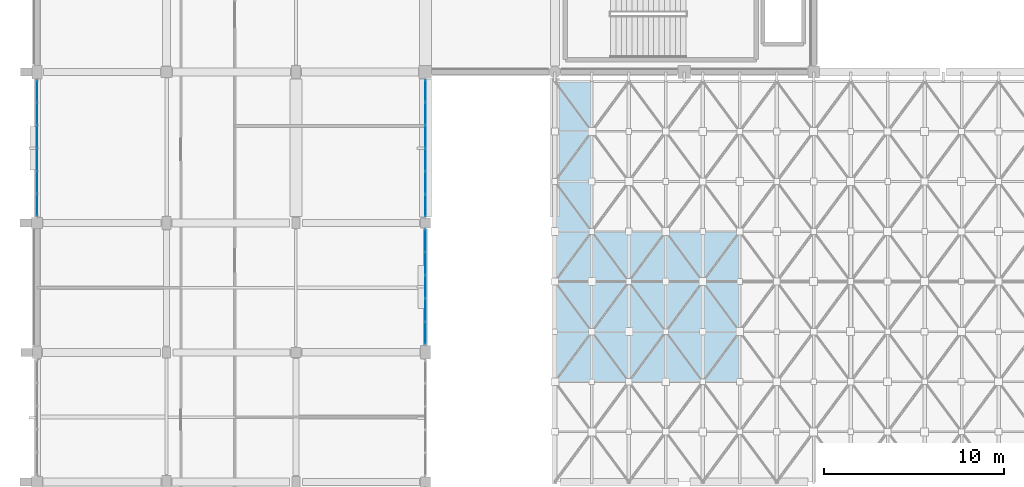
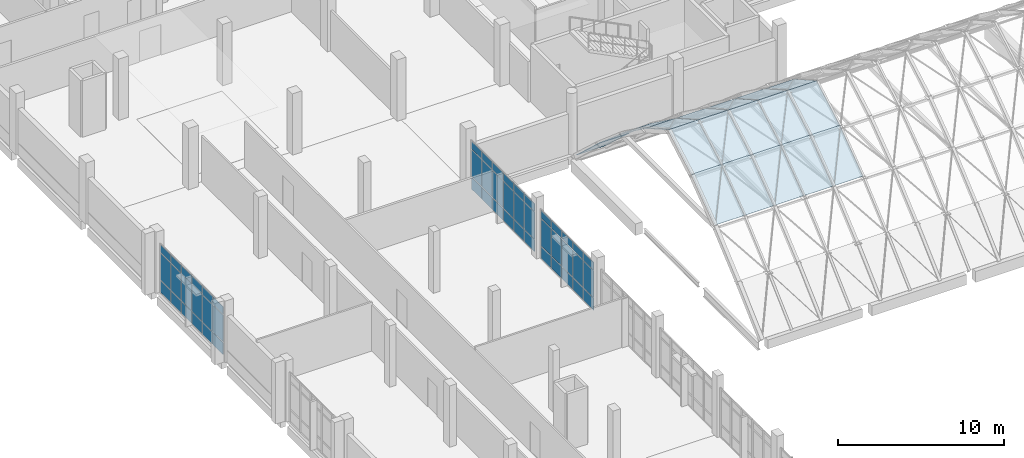
# One storey, part 63 of 87: 69 plates, 3 elements without a shape of their own.
"""IFC4 building model written with IfcOpenShell, lengths in metres."""

from ifc_helpers import new_model, si_unit, direction, frame, origin, origin_2d, place, context, subcontext, project, spatial, polyline, rectangle, outline, extrude, material, layer, layer_set, type_object, element, aggregate, save


model = new_model("IFC4")

# Units and contexts
model_context = context("Model", 3, precision=1e-05, world=origin(), true_north=direction((0.0, 1.0)))
body_context = subcontext(model_context, "Body", "Model", "MODEL_VIEW")
ifc_project = project(units=[si_unit("LENGTHUNIT", "METRE"), si_unit("AREAUNIT", "SQUARE_METRE"), si_unit("VOLUMEUNIT", "CUBIC_METRE"), si_unit("PLANEANGLEUNIT", "RADIAN"), si_unit("MASSUNIT", "GRAM", prefix="KILO")], contexts=[model_context])

# Site, building, storey
site_placement = place(None, origin())
site = spatial("IfcSite", under=ifc_project, at=site_placement, CompositionType="ELEMENT")
building_placement = place(site_placement, origin())
building = spatial("IfcBuilding", under=site, at=building_placement, Name="Kalluvel Institute of Natural Sciences", CompositionType="ELEMENT")
storey_placement = place(building_placement, frame((0.0, 0.0, 18.89990234375)))
storey = spatial("IfcBuildingStorey", under=building, at=storey_placement, Name="L04", CompositionType="ELEMENT", Elevation=18.89990234375)

# Curtain wall, plates
ifc_material_1 = material(Name="Aluminium AW-6063 T6", Category="aluminium")
curtain_wall_type = type_object("IfcCurtainWallType", Name="CW-DRY-45", PredefinedType="USERDEFINED", material=ifc_material_1)
curtain_wall_1_placement = place(storey_placement, origin())
curtain_wall_1 = element("IfcCurtainWall", 1, at=curtain_wall_1_placement, inside=storey, type_object=curtain_wall_type, Name="L04 Gothic lancet curtain wall CWA-L04-X140-Y864", ObjectType="UNITISED LANCET FACADE", PredefinedType="USERDEFINED")
ifc_material_2 = material(Name="Solar-Control Low-E Laminated Glass", Category="glass")
ifc_layer_1 = layer(ifc_material_2, 0.028076171875)
ifc_layer_set_1 = layer_set([ifc_layer_1], Name="Solar-Control Low-E Laminated Glass")
plate_type_1 = type_object("IfcPlateType", Name="CWP-DGU-28", PredefinedType="CURTAIN_PANEL", material=ifc_layer_set_1)
plate_1_placement = place(storey_placement, frame((14.0, 87.00048828125, 0.06005859375), z_axis=(0.0, 0.0, 1.0), x_axis=(0.0, 1.0, 0.0)))
plate_1 = element("IfcPlate", 2, at=plate_1_placement, type_object=plate_type_1, Name="CW-03 panel 1.1", PredefinedType="CURTAIN_PANEL", context=body_context, shape_type="SweptSolid", body=[
    extrude(rectangle(XDim=1.180908203125, YDim=0.028076171875, at=origin_2d()), origin(), (0.0, 0.0, 1.0), 0.860107421875),
])
plate_2_placement = place(storey_placement, frame((14.0, 87.00048828125, 0.980224609375), z_axis=(0.0, 0.0, 1.0), x_axis=(0.0, 1.0, 0.0)))
plate_2 = element("IfcPlate", 3, at=plate_2_placement, type_object=plate_type_1, Name="CW-03 panel 1.2", PredefinedType="CURTAIN_PANEL", context=body_context, shape_type="SweptSolid", body=[
    extrude(rectangle(XDim=1.180908203125, YDim=0.028076171875, at=origin_2d()), origin(), (0.0, 0.0, 1.0), 1.9599609375),
])
plate_3_placement = place(storey_placement, frame((14.0, 87.00048828125, 3.0), z_axis=(0.0, 0.0, 1.0), x_axis=(0.0, 1.0, 0.0)))
plate_3 = element("IfcPlate", 4, at=plate_3_placement, type_object=plate_type_1, Name="CW-03 panel 1.3", PredefinedType="CURTAIN_PANEL", context=body_context, shape_type="SweptSolid", body=[
    extrude(rectangle(XDim=1.180908203125, YDim=0.028076171875, at=origin_2d()), origin(), (0.0, 0.0, 1.0), 0.56005859375),
])
plate_4_placement = place(storey_placement, frame((14.0, 88.25634765625, 0.06005859375), z_axis=(0.0, 0.0, 1.0), x_axis=(0.0, 1.0, 0.0)))
plate_4 = element("IfcPlate", 5, at=plate_4_placement, type_object=plate_type_1, Name="CW-03 panel 2.1", PredefinedType="CURTAIN_PANEL", context=body_context, shape_type="SweptSolid", body=[
    extrude(rectangle(XDim=1.2109375, YDim=0.028076171875, at=origin_2d()), origin(), (0.0, 0.0, 1.0), 0.860107421875),
])
plate_5_placement = place(storey_placement, frame((14.0, 88.25634765625, 0.980224609375), z_axis=(0.0, 0.0, 1.0), x_axis=(0.0, 1.0, 0.0)))
plate_5 = element("IfcPlate", 6, at=plate_5_placement, type_object=plate_type_1, Name="CW-03 panel 2.2", PredefinedType="CURTAIN_PANEL", context=body_context, shape_type="SweptSolid", body=[
    extrude(rectangle(XDim=1.2109375, YDim=0.028076171875, at=origin_2d()), origin(), (0.0, 0.0, 1.0), 1.9599609375),
])
plate_6_placement = place(storey_placement, frame((14.0, 88.25634765625, 3.0), z_axis=(0.0, 0.0, 1.0), x_axis=(0.0, 1.0, 0.0)))
plate_6 = element("IfcPlate", 7, at=plate_6_placement, type_object=plate_type_1, Name="CW-03 panel 2.3", PredefinedType="CURTAIN_PANEL", context=body_context, shape_type="SweptSolid", body=[
    extrude(rectangle(XDim=1.2109375, YDim=0.028076171875, at=origin_2d()), origin(), (0.0, 0.0, 1.0), 0.56005859375),
])
plate_7_placement = place(storey_placement, frame((14.0, 89.527099609375, 0.06005859375), z_axis=(0.0, 0.0, 1.0), x_axis=(0.0, 1.0, 0.0)))
plate_7 = element("IfcPlate", 8, at=plate_7_placement, type_object=plate_type_1, Name="CW-03 panel 3.1", PredefinedType="CURTAIN_PANEL", context=body_context, shape_type="SweptSolid", body=[
    extrude(rectangle(XDim=1.2109375, YDim=0.028076171875, at=origin_2d()), origin(), (0.0, 0.0, 1.0), 0.860107421875),
])
plate_8_placement = place(storey_placement, frame((14.0, 89.527099609375, 0.980224609375), z_axis=(0.0, 0.0, 1.0), x_axis=(0.0, 1.0, 0.0)))
plate_8 = element("IfcPlate", 9, at=plate_8_placement, type_object=plate_type_1, Name="CW-03 panel 3.2", PredefinedType="CURTAIN_PANEL", context=body_context, shape_type="SweptSolid", body=[
    extrude(rectangle(XDim=1.2109375, YDim=0.028076171875, at=origin_2d()), origin(), (0.0, 0.0, 1.0), 1.9599609375),
])
plate_9_placement = place(storey_placement, frame((14.0, 89.527099609375, 3.0), z_axis=(0.0, 0.0, 1.0), x_axis=(0.0, 1.0, 0.0)))
plate_9 = element("IfcPlate", 10, at=plate_9_placement, type_object=plate_type_1, Name="CW-03 panel 3.3", PredefinedType="CURTAIN_PANEL", context=body_context, shape_type="SweptSolid", body=[
    extrude(rectangle(XDim=1.2109375, YDim=0.028076171875, at=origin_2d()), origin(), (0.0, 0.0, 1.0), 0.56005859375),
])
plate_10_placement = place(storey_placement, frame((14.0, 90.7978515625, 0.06005859375), z_axis=(0.0, 0.0, 1.0), x_axis=(0.0, 1.0, 0.0)))
plate_10 = element("IfcPlate", 11, at=plate_10_placement, type_object=plate_type_1, Name="CW-03 panel 4.1", PredefinedType="CURTAIN_PANEL", context=body_context, shape_type="SweptSolid", body=[
    extrude(rectangle(XDim=1.2109375, YDim=0.028076171875, at=origin_2d()), origin(), (0.0, 0.0, 1.0), 0.860107421875),
])
plate_11_placement = place(storey_placement, frame((14.0, 90.7978515625, 0.980224609375), z_axis=(0.0, 0.0, 1.0), x_axis=(0.0, 1.0, 0.0)))
plate_11 = element("IfcPlate", 12, at=plate_11_placement, type_object=plate_type_1, Name="CW-03 panel 4.2", PredefinedType="CURTAIN_PANEL", context=body_context, shape_type="SweptSolid", body=[
    extrude(rectangle(XDim=1.2109375, YDim=0.028076171875, at=origin_2d()), origin(), (0.0, 0.0, 1.0), 1.9599609375),
])
plate_12_placement = place(storey_placement, frame((14.0, 90.7978515625, 3.0), z_axis=(0.0, 0.0, 1.0), x_axis=(0.0, 1.0, 0.0)))
plate_12 = element("IfcPlate", 13, at=plate_12_placement, type_object=plate_type_1, Name="CW-03 panel 4.3", PredefinedType="CURTAIN_PANEL", context=body_context, shape_type="SweptSolid", body=[
    extrude(rectangle(XDim=1.2109375, YDim=0.028076171875, at=origin_2d()), origin(), (0.0, 0.0, 1.0), 0.56005859375),
])
plate_13_placement = place(storey_placement, frame((14.0, 92.06884765625, 0.06005859375), z_axis=(0.0, 0.0, 1.0), x_axis=(0.0, 1.0, 0.0)))
plate_13 = element("IfcPlate", 14, at=plate_13_placement, type_object=plate_type_1, Name="CW-03 panel 5.1", PredefinedType="CURTAIN_PANEL", context=body_context, shape_type="SweptSolid", body=[
    extrude(rectangle(XDim=1.2109375, YDim=0.028076171875, at=origin_2d()), origin(), (0.0, 0.0, 1.0), 0.860107421875),
])
plate_14_placement = place(storey_placement, frame((14.0, 92.06884765625, 0.980224609375), z_axis=(0.0, 0.0, 1.0), x_axis=(0.0, 1.0, 0.0)))
plate_14 = element("IfcPlate", 15, at=plate_14_placement, type_object=plate_type_1, Name="CW-03 panel 5.2", PredefinedType="CURTAIN_PANEL", context=body_context, shape_type="SweptSolid", body=[
    extrude(rectangle(XDim=1.2109375, YDim=0.028076171875, at=origin_2d()), origin(), (0.0, 0.0, 1.0), 1.9599609375),
])
plate_15_placement = place(storey_placement, frame((14.0, 92.06884765625, 3.0), z_axis=(0.0, 0.0, 1.0), x_axis=(0.0, 1.0, 0.0)))
plate_15 = element("IfcPlate", 16, at=plate_15_placement, type_object=plate_type_1, Name="CW-03 panel 5.3", PredefinedType="CURTAIN_PANEL", context=body_context, shape_type="SweptSolid", body=[
    extrude(rectangle(XDim=1.2109375, YDim=0.028076171875, at=origin_2d()), origin(), (0.0, 0.0, 1.0), 0.56005859375),
])
plate_16_placement = place(storey_placement, frame((14.0, 93.324462890625, 0.06005859375), z_axis=(0.0, 0.0, 1.0), x_axis=(0.0, 1.0, 0.0)))
plate_16 = element("IfcPlate", 17, at=plate_16_placement, type_object=plate_type_1, Name="CW-03 panel 6.1", PredefinedType="CURTAIN_PANEL", context=body_context, shape_type="SweptSolid", body=[
    extrude(rectangle(XDim=1.180908203125, YDim=0.028076171875, at=origin_2d()), origin(), (0.0, 0.0, 1.0), 0.860107421875),
])
plate_17_placement = place(storey_placement, frame((14.0, 93.324462890625, 0.980224609375), z_axis=(0.0, 0.0, 1.0), x_axis=(0.0, 1.0, 0.0)))
plate_17 = element("IfcPlate", 18, at=plate_17_placement, type_object=plate_type_1, Name="CW-03 panel 6.2", PredefinedType="CURTAIN_PANEL", context=body_context, shape_type="SweptSolid", body=[
    extrude(rectangle(XDim=1.180908203125, YDim=0.028076171875, at=origin_2d()), origin(), (0.0, 0.0, 1.0), 1.9599609375),
])
plate_18_placement = place(storey_placement, frame((14.0, 93.324462890625, 3.0), z_axis=(0.0, 0.0, 1.0), x_axis=(0.0, 1.0, 0.0)))
plate_18 = element("IfcPlate", 19, at=plate_18_placement, type_object=plate_type_1, Name="CW-03 panel 6.3", PredefinedType="CURTAIN_PANEL", context=body_context, shape_type="SweptSolid", body=[
    extrude(rectangle(XDim=1.180908203125, YDim=0.028076171875, at=origin_2d()), origin(), (0.0, 0.0, 1.0), 0.56005859375),
])
aggregate(curtain_wall_1, [plate_1, plate_2, plate_3, plate_4, plate_5, plate_6, plate_7, plate_8, plate_9, plate_10, plate_11, plate_12, plate_13, plate_14, plate_15, plate_16, plate_17, plate_18])

curtain_wall_2_placement = place(storey_placement, origin())
curtain_wall_2 = element("IfcCurtainWall", 20, at=curtain_wall_2_placement, inside=storey, type_object=curtain_wall_type, Name="L04 Gothic lancet curtain wall CWA-L04-X356-Y792", ObjectType="UNITISED LANCET FACADE", PredefinedType="USERDEFINED")
plate_19_placement = place(storey_placement, frame((35.60009765625, 79.885009765625, 0.06005859375), z_axis=(0.0, 0.0, 1.0), x_axis=(0.0, 1.0, 0.0)))
plate_19 = element("IfcPlate", 21, at=plate_19_placement, type_object=plate_type_1, Name="CW-03 panel 1.1", PredefinedType="CURTAIN_PANEL", context=body_context, shape_type="SweptSolid", body=[
    extrude(rectangle(XDim=1.199951171875, YDim=0.028076171875, at=origin_2d()), origin(), (0.0, 0.0, 1.0), 0.860107421875),
])
plate_20_placement = place(storey_placement, frame((35.60009765625, 79.885009765625, 0.980224609375), z_axis=(0.0, 0.0, 1.0), x_axis=(0.0, 1.0, 0.0)))
plate_20 = element("IfcPlate", 22, at=plate_20_placement, type_object=plate_type_1, Name="CW-03 panel 1.2", PredefinedType="CURTAIN_PANEL", context=body_context, shape_type="SweptSolid", body=[
    extrude(rectangle(XDim=1.199951171875, YDim=0.028076171875, at=origin_2d()), origin(), (0.0, 0.0, 1.0), 1.9599609375),
])
plate_21_placement = place(storey_placement, frame((35.60009765625, 79.885009765625, 3.0), z_axis=(0.0, 0.0, 1.0), x_axis=(0.0, 1.0, 0.0)))
plate_21 = element("IfcPlate", 23, at=plate_21_placement, type_object=plate_type_1, Name="CW-03 panel 1.3", PredefinedType="CURTAIN_PANEL", context=body_context, shape_type="SweptSolid", body=[
    extrude(rectangle(XDim=1.199951171875, YDim=0.028076171875, at=origin_2d()), origin(), (0.0, 0.0, 1.0), 0.56005859375),
])
plate_22_placement = place(storey_placement, frame((35.60009765625, 81.159912109375, 0.06005859375), z_axis=(0.0, 0.0, 1.0), x_axis=(0.0, 1.0, 0.0)))
plate_22 = element("IfcPlate", 24, at=plate_22_placement, type_object=plate_type_1, Name="CW-03 panel 2.1", PredefinedType="CURTAIN_PANEL", context=body_context, shape_type="SweptSolid", body=[
    extrude(rectangle(XDim=1.22998046875, YDim=0.028076171875, at=origin_2d()), origin(), (0.0, 0.0, 1.0), 0.860107421875),
])
plate_23_placement = place(storey_placement, frame((35.60009765625, 81.159912109375, 0.980224609375), z_axis=(0.0, 0.0, 1.0), x_axis=(0.0, 1.0, 0.0)))
plate_23 = element("IfcPlate", 25, at=plate_23_placement, type_object=plate_type_1, Name="CW-03 panel 2.2", PredefinedType="CURTAIN_PANEL", context=body_context, shape_type="SweptSolid", body=[
    extrude(rectangle(XDim=1.22998046875, YDim=0.028076171875, at=origin_2d()), origin(), (0.0, 0.0, 1.0), 1.9599609375),
])
plate_24_placement = place(storey_placement, frame((35.60009765625, 81.159912109375, 3.0), z_axis=(0.0, 0.0, 1.0), x_axis=(0.0, 1.0, 0.0)))
plate_24 = element("IfcPlate", 26, at=plate_24_placement, type_object=plate_type_1, Name="CW-03 panel 2.3", PredefinedType="CURTAIN_PANEL", context=body_context, shape_type="SweptSolid", body=[
    extrude(rectangle(XDim=1.22998046875, YDim=0.028076171875, at=origin_2d()), origin(), (0.0, 0.0, 1.0), 0.56005859375),
])
plate_25_placement = place(storey_placement, frame((35.60009765625, 82.449951171875, 0.06005859375), z_axis=(0.0, 0.0, 1.0), x_axis=(0.0, 1.0, 0.0)))
plate_25 = element("IfcPlate", 27, at=plate_25_placement, type_object=plate_type_1, Name="CW-03 panel 3.1", PredefinedType="CURTAIN_PANEL", context=body_context, shape_type="SweptSolid", body=[
    extrude(rectangle(XDim=1.22998046875, YDim=0.028076171875, at=origin_2d()), origin(), (0.0, 0.0, 1.0), 0.860107421875),
])
plate_26_placement = place(storey_placement, frame((35.60009765625, 82.449951171875, 0.980224609375), z_axis=(0.0, 0.0, 1.0), x_axis=(0.0, 1.0, 0.0)))
plate_26 = element("IfcPlate", 28, at=plate_26_placement, type_object=plate_type_1, Name="CW-03 panel 3.2", PredefinedType="CURTAIN_PANEL", context=body_context, shape_type="SweptSolid", body=[
    extrude(rectangle(XDim=1.22998046875, YDim=0.028076171875, at=origin_2d()), origin(), (0.0, 0.0, 1.0), 1.9599609375),
])
plate_27_placement = place(storey_placement, frame((35.60009765625, 82.449951171875, 3.0), z_axis=(0.0, 0.0, 1.0), x_axis=(0.0, 1.0, 0.0)))
plate_27 = element("IfcPlate", 29, at=plate_27_placement, type_object=plate_type_1, Name="CW-03 panel 3.3", PredefinedType="CURTAIN_PANEL", context=body_context, shape_type="SweptSolid", body=[
    extrude(rectangle(XDim=1.22998046875, YDim=0.028076171875, at=origin_2d()), origin(), (0.0, 0.0, 1.0), 0.56005859375),
])
plate_28_placement = place(storey_placement, frame((35.60009765625, 83.739990234375, 0.06005859375), z_axis=(0.0, 0.0, 1.0), x_axis=(0.0, 1.0, 0.0)))
plate_28 = element("IfcPlate", 30, at=plate_28_placement, type_object=plate_type_1, Name="CW-03 panel 4.1", PredefinedType="CURTAIN_PANEL", context=body_context, shape_type="SweptSolid", body=[
    extrude(rectangle(XDim=1.22998046875, YDim=0.028076171875, at=origin_2d()), origin(), (0.0, 0.0, 1.0), 0.860107421875),
])
plate_29_placement = place(storey_placement, frame((35.60009765625, 83.739990234375, 0.980224609375), z_axis=(0.0, 0.0, 1.0), x_axis=(0.0, 1.0, 0.0)))
plate_29 = element("IfcPlate", 31, at=plate_29_placement, type_object=plate_type_1, Name="CW-03 panel 4.2", PredefinedType="CURTAIN_PANEL", context=body_context, shape_type="SweptSolid", body=[
    extrude(rectangle(XDim=1.22998046875, YDim=0.028076171875, at=origin_2d()), origin(), (0.0, 0.0, 1.0), 1.9599609375),
])
plate_30_placement = place(storey_placement, frame((35.60009765625, 83.739990234375, 3.0), z_axis=(0.0, 0.0, 1.0), x_axis=(0.0, 1.0, 0.0)))
plate_30 = element("IfcPlate", 32, at=plate_30_placement, type_object=plate_type_1, Name="CW-03 panel 4.3", PredefinedType="CURTAIN_PANEL", context=body_context, shape_type="SweptSolid", body=[
    extrude(rectangle(XDim=1.22998046875, YDim=0.028076171875, at=origin_2d()), origin(), (0.0, 0.0, 1.0), 0.56005859375),
])
plate_31_placement = place(storey_placement, frame((35.60009765625, 85.014892578125, 0.06005859375), z_axis=(0.0, 0.0, 1.0), x_axis=(0.0, 1.0, 0.0)))
plate_31 = element("IfcPlate", 33, at=plate_31_placement, type_object=plate_type_1, Name="CW-03 panel 5.1", PredefinedType="CURTAIN_PANEL", context=body_context, shape_type="SweptSolid", body=[
    extrude(rectangle(XDim=1.199951171875, YDim=0.028076171875, at=origin_2d()), origin(), (0.0, 0.0, 1.0), 0.860107421875),
])
plate_32_placement = place(storey_placement, frame((35.60009765625, 85.014892578125, 0.980224609375), z_axis=(0.0, 0.0, 1.0), x_axis=(0.0, 1.0, 0.0)))
plate_32 = element("IfcPlate", 34, at=plate_32_placement, type_object=plate_type_1, Name="CW-03 panel 5.2", PredefinedType="CURTAIN_PANEL", context=body_context, shape_type="SweptSolid", body=[
    extrude(rectangle(XDim=1.199951171875, YDim=0.028076171875, at=origin_2d()), origin(), (0.0, 0.0, 1.0), 1.9599609375),
])
plate_33_placement = place(storey_placement, frame((35.60009765625, 85.014892578125, 3.0), z_axis=(0.0, 0.0, 1.0), x_axis=(0.0, 1.0, 0.0)))
plate_33 = element("IfcPlate", 35, at=plate_33_placement, type_object=plate_type_1, Name="CW-03 panel 5.3", PredefinedType="CURTAIN_PANEL", context=body_context, shape_type="SweptSolid", body=[
    extrude(rectangle(XDim=1.199951171875, YDim=0.028076171875, at=origin_2d()), origin(), (0.0, 0.0, 1.0), 0.56005859375),
])
aggregate(curtain_wall_2, [plate_19, plate_20, plate_21, plate_22, plate_23, plate_24, plate_25, plate_26, plate_27, plate_28, plate_29, plate_30, plate_31, plate_32, plate_33])

curtain_wall_3_placement = place(storey_placement, origin())
curtain_wall_3 = element("IfcCurtainWall", 36, at=curtain_wall_3_placement, inside=storey, type_object=curtain_wall_type, Name="L04 Gothic lancet curtain wall CWA-L04-X356-Y863", ObjectType="UNITISED LANCET FACADE", PredefinedType="USERDEFINED")
plate_34_placement = place(storey_placement, frame((35.60009765625, 86.9794921875, 0.06005859375), z_axis=(0.0, 0.0, 1.0), x_axis=(0.0, 1.0, 0.0)))
plate_34 = element("IfcPlate", 37, at=plate_34_placement, type_object=plate_type_1, Name="CW-03 panel 1.1", PredefinedType="CURTAIN_PANEL", context=body_context, shape_type="SweptSolid", body=[
    extrude(rectangle(XDim=1.189208984375, YDim=0.028076171875, at=origin_2d()), origin(), (0.0, 0.0, 1.0), 0.860107421875),
])
plate_35_placement = place(storey_placement, frame((35.60009765625, 86.9794921875, 0.980224609375), z_axis=(0.0, 0.0, 1.0), x_axis=(0.0, 1.0, 0.0)))
plate_35 = element("IfcPlate", 38, at=plate_35_placement, type_object=plate_type_1, Name="CW-03 panel 1.2", PredefinedType="CURTAIN_PANEL", context=body_context, shape_type="SweptSolid", body=[
    extrude(rectangle(XDim=1.189208984375, YDim=0.028076171875, at=origin_2d()), origin(), (0.0, 0.0, 1.0), 1.9599609375),
])
plate_36_placement = place(storey_placement, frame((35.60009765625, 86.9794921875, 3.0), z_axis=(0.0, 0.0, 1.0), x_axis=(0.0, 1.0, 0.0)))
plate_36 = element("IfcPlate", 39, at=plate_36_placement, type_object=plate_type_1, Name="CW-03 panel 1.3", PredefinedType="CURTAIN_PANEL", context=body_context, shape_type="SweptSolid", body=[
    extrude(rectangle(XDim=1.189208984375, YDim=0.028076171875, at=origin_2d()), origin(), (0.0, 0.0, 1.0), 0.56005859375),
])
plate_37_placement = place(storey_placement, frame((35.60009765625, 88.24365234375, 0.06005859375), z_axis=(0.0, 0.0, 1.0), x_axis=(0.0, 1.0, 0.0)))
plate_37 = element("IfcPlate", 40, at=plate_37_placement, type_object=plate_type_1, Name="CW-03 panel 2.1", PredefinedType="CURTAIN_PANEL", context=body_context, shape_type="SweptSolid", body=[
    extrude(rectangle(XDim=1.21923828125, YDim=0.028076171875, at=origin_2d()), origin(), (0.0, 0.0, 1.0), 0.860107421875),
])
plate_38_placement = place(storey_placement, frame((35.60009765625, 88.24365234375, 0.980224609375), z_axis=(0.0, 0.0, 1.0), x_axis=(0.0, 1.0, 0.0)))
plate_38 = element("IfcPlate", 41, at=plate_38_placement, type_object=plate_type_1, Name="CW-03 panel 2.2", PredefinedType="CURTAIN_PANEL", context=body_context, shape_type="SweptSolid", body=[
    extrude(rectangle(XDim=1.21923828125, YDim=0.028076171875, at=origin_2d()), origin(), (0.0, 0.0, 1.0), 1.9599609375),
])
plate_39_placement = place(storey_placement, frame((35.60009765625, 88.24365234375, 3.0), z_axis=(0.0, 0.0, 1.0), x_axis=(0.0, 1.0, 0.0)))
plate_39 = element("IfcPlate", 42, at=plate_39_placement, type_object=plate_type_1, Name="CW-03 panel 2.3", PredefinedType="CURTAIN_PANEL", context=body_context, shape_type="SweptSolid", body=[
    extrude(rectangle(XDim=1.21923828125, YDim=0.028076171875, at=origin_2d()), origin(), (0.0, 0.0, 1.0), 0.56005859375),
])
plate_40_placement = place(storey_placement, frame((35.60009765625, 89.52294921875, 0.06005859375), z_axis=(0.0, 0.0, 1.0), x_axis=(0.0, 1.0, 0.0)))
plate_40 = element("IfcPlate", 43, at=plate_40_placement, type_object=plate_type_1, Name="CW-03 panel 3.1", PredefinedType="CURTAIN_PANEL", context=body_context, shape_type="SweptSolid", body=[
    extrude(rectangle(XDim=1.21923828125, YDim=0.028076171875, at=origin_2d()), origin(), (0.0, 0.0, 1.0), 0.860107421875),
])
plate_41_placement = place(storey_placement, frame((35.60009765625, 89.52294921875, 0.980224609375), z_axis=(0.0, 0.0, 1.0), x_axis=(0.0, 1.0, 0.0)))
plate_41 = element("IfcPlate", 44, at=plate_41_placement, type_object=plate_type_1, Name="CW-03 panel 3.2", PredefinedType="CURTAIN_PANEL", context=body_context, shape_type="SweptSolid", body=[
    extrude(rectangle(XDim=1.21923828125, YDim=0.028076171875, at=origin_2d()), origin(), (0.0, 0.0, 1.0), 1.9599609375),
])
plate_42_placement = place(storey_placement, frame((35.60009765625, 89.52294921875, 3.0), z_axis=(0.0, 0.0, 1.0), x_axis=(0.0, 1.0, 0.0)))
plate_42 = element("IfcPlate", 45, at=plate_42_placement, type_object=plate_type_1, Name="CW-03 panel 3.3", PredefinedType="CURTAIN_PANEL", context=body_context, shape_type="SweptSolid", body=[
    extrude(rectangle(XDim=1.21923828125, YDim=0.028076171875, at=origin_2d()), origin(), (0.0, 0.0, 1.0), 0.56005859375),
])
plate_43_placement = place(storey_placement, frame((35.60009765625, 90.802001953125, 0.06005859375), z_axis=(0.0, 0.0, 1.0), x_axis=(0.0, 1.0, 0.0)))
plate_43 = element("IfcPlate", 46, at=plate_43_placement, type_object=plate_type_1, Name="CW-03 panel 4.1", PredefinedType="CURTAIN_PANEL", context=body_context, shape_type="SweptSolid", body=[
    extrude(rectangle(XDim=1.21923828125, YDim=0.028076171875, at=origin_2d()), origin(), (0.0, 0.0, 1.0), 0.860107421875),
])
plate_44_placement = place(storey_placement, frame((35.60009765625, 90.802001953125, 0.980224609375), z_axis=(0.0, 0.0, 1.0), x_axis=(0.0, 1.0, 0.0)))
plate_44 = element("IfcPlate", 47, at=plate_44_placement, type_object=plate_type_1, Name="CW-03 panel 4.2", PredefinedType="CURTAIN_PANEL", context=body_context, shape_type="SweptSolid", body=[
    extrude(rectangle(XDim=1.21923828125, YDim=0.028076171875, at=origin_2d()), origin(), (0.0, 0.0, 1.0), 1.9599609375),
])
plate_45_placement = place(storey_placement, frame((35.60009765625, 90.802001953125, 3.0), z_axis=(0.0, 0.0, 1.0), x_axis=(0.0, 1.0, 0.0)))
plate_45 = element("IfcPlate", 48, at=plate_45_placement, type_object=plate_type_1, Name="CW-03 panel 4.3", PredefinedType="CURTAIN_PANEL", context=body_context, shape_type="SweptSolid", body=[
    extrude(rectangle(XDim=1.21923828125, YDim=0.028076171875, at=origin_2d()), origin(), (0.0, 0.0, 1.0), 0.56005859375),
])
plate_46_placement = place(storey_placement, frame((35.60009765625, 92.081298828125, 0.06005859375), z_axis=(0.0, 0.0, 1.0), x_axis=(0.0, 1.0, 0.0)))
plate_46 = element("IfcPlate", 49, at=plate_46_placement, type_object=plate_type_1, Name="CW-03 panel 5.1", PredefinedType="CURTAIN_PANEL", context=body_context, shape_type="SweptSolid", body=[
    extrude(rectangle(XDim=1.21923828125, YDim=0.028076171875, at=origin_2d()), origin(), (0.0, 0.0, 1.0), 0.860107421875),
])
plate_47_placement = place(storey_placement, frame((35.60009765625, 92.081298828125, 0.980224609375), z_axis=(0.0, 0.0, 1.0), x_axis=(0.0, 1.0, 0.0)))
plate_47 = element("IfcPlate", 50, at=plate_47_placement, type_object=plate_type_1, Name="CW-03 panel 5.2", PredefinedType="CURTAIN_PANEL", context=body_context, shape_type="SweptSolid", body=[
    extrude(rectangle(XDim=1.21923828125, YDim=0.028076171875, at=origin_2d()), origin(), (0.0, 0.0, 1.0), 1.9599609375),
])
plate_48_placement = place(storey_placement, frame((35.60009765625, 92.081298828125, 3.0), z_axis=(0.0, 0.0, 1.0), x_axis=(0.0, 1.0, 0.0)))
plate_48 = element("IfcPlate", 51, at=plate_48_placement, type_object=plate_type_1, Name="CW-03 panel 5.3", PredefinedType="CURTAIN_PANEL", context=body_context, shape_type="SweptSolid", body=[
    extrude(rectangle(XDim=1.21923828125, YDim=0.028076171875, at=origin_2d()), origin(), (0.0, 0.0, 1.0), 0.56005859375),
])
plate_49_placement = place(storey_placement, frame((35.60009765625, 93.345458984375, 0.06005859375), z_axis=(0.0, 0.0, 1.0), x_axis=(0.0, 1.0, 0.0)))
plate_49 = element("IfcPlate", 52, at=plate_49_placement, type_object=plate_type_1, Name="CW-03 panel 6.1", PredefinedType="CURTAIN_PANEL", context=body_context, shape_type="SweptSolid", body=[
    extrude(rectangle(XDim=1.189208984375, YDim=0.028076171875, at=origin_2d()), origin(), (0.0, 0.0, 1.0), 0.860107421875),
])
plate_50_placement = place(storey_placement, frame((35.60009765625, 93.345458984375, 0.980224609375), z_axis=(0.0, 0.0, 1.0), x_axis=(0.0, 1.0, 0.0)))
plate_50 = element("IfcPlate", 53, at=plate_50_placement, type_object=plate_type_1, Name="CW-03 panel 6.2", PredefinedType="CURTAIN_PANEL", context=body_context, shape_type="SweptSolid", body=[
    extrude(rectangle(XDim=1.189208984375, YDim=0.028076171875, at=origin_2d()), origin(), (0.0, 0.0, 1.0), 1.9599609375),
])
plate_51_placement = place(storey_placement, frame((35.60009765625, 93.345458984375, 3.0), z_axis=(0.0, 0.0, 1.0), x_axis=(0.0, 1.0, 0.0)))
plate_51 = element("IfcPlate", 54, at=plate_51_placement, type_object=plate_type_1, Name="CW-03 panel 6.3", PredefinedType="CURTAIN_PANEL", context=body_context, shape_type="SweptSolid", body=[
    extrude(rectangle(XDim=1.189208984375, YDim=0.028076171875, at=origin_2d()), origin(), (0.0, 0.0, 1.0), 0.56005859375),
])
aggregate(curtain_wall_3, [plate_34, plate_35, plate_36, plate_37, plate_38, plate_39, plate_40, plate_41, plate_42, plate_43, plate_44, plate_45, plate_46, plate_47, plate_48, plate_49, plate_50, plate_51])

# Plates
ifc_layer_2 = layer(ifc_material_2, 0.035888671875)
ifc_layer_set_2 = layer_set([ifc_layer_2], Name="Solar-Control Low-E Laminated Glass")
plate_type_2 = type_object("IfcPlateType", Name="PL-VAULT-GLASS-36", PredefinedType="USERDEFINED", material=ifc_layer_set_2)
plate_52_placement = place(storey_placement, frame((42.800048828125, 77.169921875, 5.07177734375), z_axis=(0.0, -0.591185879843, 0.806535340499), x_axis=(1.0, 0.0, 0.0)))
element("IfcPlate", 55, at=plate_52_placement, inside=storey, type_object=plate_type_2, Name="Atrium glass gridshell vault roof panel 1.3", ObjectType="VAULT GLAZING PANEL", PredefinedType="USERDEFINED", context=body_context, shape_type="SweptSolid", body=[
    extrude(outline(polyline([(0.0, 0.0), (2.05712890625, 0.0), (2.05712890625, 3.4532352274567204), (0.0, 3.4532352274567204), (0.0, 0.0)])), origin(), (0.0, 0.0, -1.0), 0.035888671875),
])
for number, where, z_axis, x_axis, name in (
    (56, (42.800048828125, 79.955078125, 7.11328125), (0.0, -0.493879746442, 0.869530215722), (1.0, 0.0, 0.0), "Atrium glass gridshell vault roof panel 1.4"),
    (57, (42.800048828125, 82.739990234375, 8.695068359375), (0.0, 0.493879746442, 0.869530215722), (1.0, 0.0, 0.0), "Atrium glass gridshell vault roof panel 1.5"),
):
    element("IfcPlate", number, at=place(storey_placement, frame(where, z_axis=z_axis, x_axis=x_axis)), inside=storey, type_object=plate_type_2, Name=name, ObjectType="VAULT GLAZING PANEL", PredefinedType="USERDEFINED", context=body_context, shape_type="SweptSolid", body=[
        extrude(outline(polyline([(0.0, 0.0), (2.05712890625, 0.0), (2.05712890625, 3.2027778437363446), (0.0, 3.2027778437363446), (0.0, 0.0)])), origin(), (0.0, 0.0, -1.0), 0.035888671875),
    ])
plate_53_placement = place(storey_placement, frame((42.800048828125, 85.52490234375, 7.11328125), z_axis=(0.0, 0.591185879843, 0.806535340499), x_axis=(1.0, 0.0, 0.0)))
element("IfcPlate", 58, at=plate_53_placement, inside=storey, type_object=plate_type_2, Name="Atrium glass gridshell vault roof panel 1.6", ObjectType="VAULT GLAZING PANEL", PredefinedType="USERDEFINED", context=body_context, shape_type="SweptSolid", body=[
    extrude(outline(polyline([(0.0, 0.0), (2.05712890625, 0.0), (2.05712890625, 3.4532352274567204), (0.0, 3.4532352274567204), (0.0, 0.0)])), origin(), (0.0, 0.0, -1.0), 0.035888671875),
])
plate_54_placement = place(storey_placement, frame((42.800048828125, 88.31005859375, 5.07177734375), z_axis=(0.0, 0.651732680748, 0.758448754264), x_axis=(1.0, 0.0, 0.0)))
element("IfcPlate", 59, at=plate_54_placement, inside=storey, type_object=plate_type_2, Name="Atrium glass gridshell vault roof panel 1.7", ObjectType="VAULT GLAZING PANEL", PredefinedType="USERDEFINED", context=body_context, shape_type="SweptSolid", body=[
    extrude(outline(polyline([(0.0, 0.0), (2.05712890625, 0.0), (2.05712890625, 3.6718527042442486), (0.0, 3.6718527042442486), (0.0, 0.0)])), origin(), (0.0, 0.0, -1.0), 0.035888671875),
])
plate_55_placement = place(storey_placement, frame((42.800048828125, 91.094970703125, 2.6787109375), z_axis=(0.0, 0.680098507525, 0.73312074044), x_axis=(1.0, 0.0, 0.0)))
element("IfcPlate", 60, at=plate_55_placement, inside=storey, type_object=plate_type_2, Name="Atrium glass gridshell vault roof panel 1.8", ObjectType="VAULT GLAZING PANEL", PredefinedType="USERDEFINED", context=body_context, shape_type="SweptSolid", body=[
    extrude(outline(polyline([(0.0, 0.0), (2.05712890625, 0.0), (2.05712890625, 3.798708665239415), (0.0, 3.798708665239415), (0.0, 0.0)])), origin(), (0.0, 0.0, -1.0), 0.035888671875),
])
plate_56_placement = place(storey_placement, frame((44.857177734375, 77.169921875, 5.07177734375), z_axis=(0.0, -0.591185879843, 0.806535340499), x_axis=(1.0, 0.0, 0.0)))
element("IfcPlate", 61, at=plate_56_placement, inside=storey, type_object=plate_type_2, Name="Atrium glass gridshell vault roof panel 2.3", ObjectType="VAULT GLAZING PANEL", PredefinedType="USERDEFINED", context=body_context, shape_type="SweptSolid", body=[
    extrude(outline(polyline([(0.0, 0.0), (2.05712890625, 0.0), (2.05712890625, 3.4532352274567204), (0.0, 3.4532352274567204), (0.0, 0.0)])), origin(), (0.0, 0.0, -1.0), 0.035888671875),
])
for number, where, z_axis, x_axis, name in (
    (62, (44.857177734375, 79.955078125, 7.11328125), (0.0, -0.493879746442, 0.869530215722), (1.0, 0.0, 0.0), "Atrium glass gridshell vault roof panel 2.4"),
    (63, (44.857177734375, 82.739990234375, 8.695068359375), (0.0, 0.493879746442, 0.869530215722), (1.0, 0.0, 0.0), "Atrium glass gridshell vault roof panel 2.5"),
):
    element("IfcPlate", number, at=place(storey_placement, frame(where, z_axis=z_axis, x_axis=x_axis)), inside=storey, type_object=plate_type_2, Name=name, ObjectType="VAULT GLAZING PANEL", PredefinedType="USERDEFINED", context=body_context, shape_type="SweptSolid", body=[
        extrude(outline(polyline([(0.0, 0.0), (2.05712890625, 0.0), (2.05712890625, 3.2027778437363446), (0.0, 3.2027778437363446), (0.0, 0.0)])), origin(), (0.0, 0.0, -1.0), 0.035888671875),
    ])
plate_57_placement = place(storey_placement, frame((46.914306640625, 77.169921875, 5.07177734375), z_axis=(0.0, -0.591185879843, 0.806535340499), x_axis=(1.0, 0.0, 0.0)))
element("IfcPlate", 64, at=plate_57_placement, inside=storey, type_object=plate_type_2, Name="Atrium glass gridshell vault roof panel 3.3", ObjectType="VAULT GLAZING PANEL", PredefinedType="USERDEFINED", context=body_context, shape_type="SweptSolid", body=[
    extrude(outline(polyline([(0.0, 0.0), (2.05712890625, 0.0), (2.05712890625, 3.4532352274567204), (0.0, 3.4532352274567204), (0.0, 0.0)])), origin(), (0.0, 0.0, -1.0), 0.035888671875),
])
for number, where, z_axis, x_axis, name in (
    (65, (46.914306640625, 79.955078125, 7.11328125), (0.0, -0.493879746442, 0.869530215722), (1.0, 0.0, 0.0), "Atrium glass gridshell vault roof panel 3.4"),
    (66, (46.914306640625, 82.739990234375, 8.695068359375), (0.0, 0.493879746442, 0.869530215722), (1.0, 0.0, 0.0), "Atrium glass gridshell vault roof panel 3.5"),
):
    element("IfcPlate", number, at=place(storey_placement, frame(where, z_axis=z_axis, x_axis=x_axis)), inside=storey, type_object=plate_type_2, Name=name, ObjectType="VAULT GLAZING PANEL", PredefinedType="USERDEFINED", context=body_context, shape_type="SweptSolid", body=[
        extrude(outline(polyline([(0.0, 0.0), (2.05712890625, 0.0), (2.05712890625, 3.2027778437363446), (0.0, 3.2027778437363446), (0.0, 0.0)])), origin(), (0.0, 0.0, -1.0), 0.035888671875),
    ])
plate_58_placement = place(storey_placement, frame((48.971435546875, 77.169921875, 5.07177734375), z_axis=(0.0, -0.591185879843, 0.806535340499), x_axis=(1.0, 0.0, 0.0)))
element("IfcPlate", 67, at=plate_58_placement, inside=storey, type_object=plate_type_2, Name="Atrium glass gridshell vault roof panel 4.3", ObjectType="VAULT GLAZING PANEL", PredefinedType="USERDEFINED", context=body_context, shape_type="SweptSolid", body=[
    extrude(outline(polyline([(0.0, 0.0), (2.05712890625, 0.0), (2.05712890625, 3.4532352274567204), (0.0, 3.4532352274567204), (0.0, 0.0)])), origin(), (0.0, 0.0, -1.0), 0.035888671875),
])
for number, where, z_axis, x_axis, name in (
    (68, (48.971435546875, 79.955078125, 7.11328125), (0.0, -0.493879746442, 0.869530215722), (1.0, 0.0, 0.0), "Atrium glass gridshell vault roof panel 4.4"),
    (69, (48.971435546875, 82.739990234375, 8.695068359375), (0.0, 0.493879746442, 0.869530215722), (1.0, 0.0, 0.0), "Atrium glass gridshell vault roof panel 4.5"),
):
    element("IfcPlate", number, at=place(storey_placement, frame(where, z_axis=z_axis, x_axis=x_axis)), inside=storey, type_object=plate_type_2, Name=name, ObjectType="VAULT GLAZING PANEL", PredefinedType="USERDEFINED", context=body_context, shape_type="SweptSolid", body=[
        extrude(outline(polyline([(0.0, 0.0), (2.05712890625, 0.0), (2.05712890625, 3.2027778437363446), (0.0, 3.2027778437363446), (0.0, 0.0)])), origin(), (0.0, 0.0, -1.0), 0.035888671875),
    ])
plate_59_placement = place(storey_placement, frame((51.028564453125, 77.169921875, 5.07177734375), z_axis=(0.0, -0.591185879843, 0.806535340499), x_axis=(1.0, 0.0, 0.0)))
element("IfcPlate", 70, at=plate_59_placement, inside=storey, type_object=plate_type_2, Name="Atrium glass gridshell vault roof panel 5.3", ObjectType="VAULT GLAZING PANEL", PredefinedType="USERDEFINED", context=body_context, shape_type="SweptSolid", body=[
    extrude(outline(polyline([(0.0, 0.0), (2.05712890625, 0.0), (2.05712890625, 3.4532352274567204), (0.0, 3.4532352274567204), (0.0, 0.0)])), origin(), (0.0, 0.0, -1.0), 0.035888671875),
])
for number, where, z_axis, x_axis, name in (
    (71, (51.028564453125, 79.955078125, 7.11328125), (0.0, -0.493879746442, 0.869530215722), (1.0, 0.0, 0.0), "Atrium glass gridshell vault roof panel 5.4"),
    (72, (51.028564453125, 82.739990234375, 8.695068359375), (0.0, 0.493879746442, 0.869530215722), (1.0, 0.0, 0.0), "Atrium glass gridshell vault roof panel 5.5"),
):
    element("IfcPlate", number, at=place(storey_placement, frame(where, z_axis=z_axis, x_axis=x_axis)), inside=storey, type_object=plate_type_2, Name=name, ObjectType="VAULT GLAZING PANEL", PredefinedType="USERDEFINED", context=body_context, shape_type="SweptSolid", body=[
        extrude(outline(polyline([(0.0, 0.0), (2.05712890625, 0.0), (2.05712890625, 3.2027778437363446), (0.0, 3.2027778437363446), (0.0, 0.0)])), origin(), (0.0, 0.0, -1.0), 0.035888671875),
    ])

save(model, "model.ifc")
